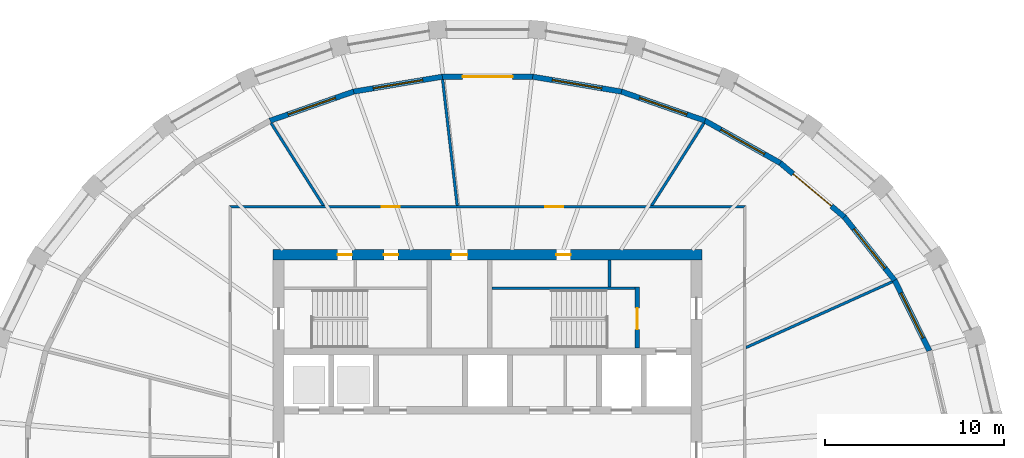
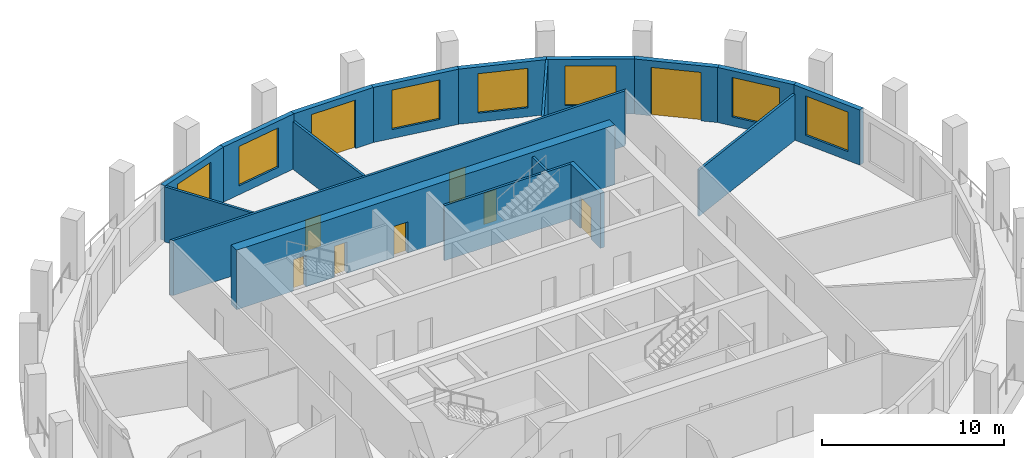
# One storey, part 6 of 10: 18 walls, 9 doors, 7 windows, 16 openings.
"""IFC4 building model written with IfcOpenShell, lengths in metres."""

from ifc_helpers import new_model, si_unit, direction, frame, frame_2d, origin, place, context, subcontext, project, spatial, polyline, rectangle, outline, extrude, material, layer, layer_set, type_object, element, fill, save


model = new_model("IFC4")

# Units and contexts
model_context = context("Model", 3, precision=1e-05, world=origin(), true_north=direction((0.0, 1.0)))
body_context = subcontext(model_context, "Body", "Model", "MODEL_VIEW")
ifc_project = project(units=[si_unit("LENGTHUNIT", "METRE"), si_unit("AREAUNIT", "SQUARE_METRE"), si_unit("VOLUMEUNIT", "CUBIC_METRE"), si_unit("PLANEANGLEUNIT", "RADIAN"), si_unit("MASSUNIT", "GRAM", prefix="KILO")], contexts=[model_context])

# Site, building, storey
site_placement = place(None, origin())
site = spatial("IfcSite", under=ifc_project, at=site_placement, CompositionType="ELEMENT")
building_placement = place(site_placement, origin())
building = spatial("IfcBuilding", under=site, at=building_placement, Name="Halqa Exchange Tower", CompositionType="ELEMENT")
storey_placement = place(building_placement, frame((0.0, 0.0, 316.300048828125)))
storey = spatial("IfcBuildingStorey", under=building, at=storey_placement, Name="L74", CompositionType="ELEMENT", Elevation=316.300048828125)

# Wall, openings, doors
ifc_material_1 = material(Name="Fire-rated gypsum board")
ifc_layer_1 = layer(ifc_material_1, 0.14990234375)
ifc_layer_set_1 = layer_set([ifc_layer_1], Name="Fire-rated gypsum board")
wall_type_1 = type_object("IfcWallType", Name="Fire partition EI 60 150", PredefinedType="PARTITIONING", material=ifc_layer_set_1)
wall_1_placement = place(storey_placement, frame((-14.47509765625, 14.39990234375, 0.0), z_axis=(0.0, 0.0, 1.0), x_axis=(1.0, 0.0, 0.0)))
wall_1 = element("IfcWall", 1, at=wall_1_placement, inside=storey, type_object=wall_type_1, Name="L74-PWL-008", PredefinedType="PARTITIONING", context=body_context, shape_type="SweptSolid", body=[
    extrude(outline(polyline([(0.150146484375, -0.074951171875), (2.06005859375, -0.074951171875), (3.97021484375, -0.074951171875), (5.880126953125, -0.074951171875), (7.7900390625, -0.074951171875), (9.7001953125, -0.074951171875), (11.610107421875, -0.074951171875), (13.52001953125, -0.074951171875), (15.43017578125, -0.074951171875), (17.340087890625, -0.074951171875), (19.25, -0.074951171875), (21.16015625, -0.074951171875), (23.070068359375, -0.074951171875), (24.97998046875, -0.074951171875), (26.89013671875, -0.074951171875), (28.800048828125, -0.074951171875), (28.949951171875, 0.074951171875), (27.02001953125, 0.074951171875), (25.090087890625, 0.074951171875), (23.159912109375, 0.074951171875), (21.22998046875, 0.074951171875), (19.300048828125, 0.074951171875), (17.3701171875, 0.074951171875), (15.440185546875, 0.074951171875), (13.510009765625, 0.074951171875), (11.580078125, 0.074951171875), (9.650146484375, 0.074951171875), (7.72021484375, 0.074951171875), (5.790283203125, 0.074951171875), (3.860107421875, 0.074951171875), (1.93017578125, 0.074951171875), (0.000244140625, 0.074951171875), (0.150146484375, -0.074951171875)])), origin(), (0.0, 0.0, 1.0), 3.699951171875),
])
opening_1_placement = place(wall_1_placement, frame((17.705078125, 0.0, 0.0)))
opening_1 = element("IfcOpeningElement", 2, at=opening_1_placement, cuts=wall_1, Name="Opening 23-02", PredefinedType="OPENING", context=body_context, shape_type="SweptSolid", body=[
    extrude(rectangle(XDim=1.0, YDim=2.10009765625, at=frame_2d((0.5, 1.050048828125))), frame((0.0, 0.0869140625, 0.0), z_axis=(0.0, -1.0, 0.0), x_axis=(1.0, 0.0, 0.0)), (0.0, 0.0, 1.0), 0.173828125),
])
opening_2_placement = place(wall_1_placement, frame((8.554931640625, 0.0, 0.0)))
opening_2 = element("IfcOpeningElement", 3, at=opening_2_placement, cuts=wall_1, Name="Opening 23-03", PredefinedType="OPENING", context=body_context, shape_type="SweptSolid", body=[
    extrude(rectangle(XDim=1.0, YDim=2.10009765625, at=frame_2d((0.5, 1.050048828125))), frame((0.0, 0.0869140625, 0.0), z_axis=(0.0, -1.0, 0.0), x_axis=(1.0, 0.0, 0.0)), (0.0, 0.0, 1.0), 0.173828125),
])
ifc_material_2 = material(Name="Steel fire door leaf", Category="steel")
door_type_1 = type_object("IfcDoorType", Name="Fire door FD30S 1000 x 2100", OperationType="SINGLE_SWING_LEFT", PredefinedType="DOOR", material=ifc_material_2)
door_1_placement = place(opening_1_placement, origin())
door_1 = element("IfcDoor", 4, at=door_1_placement, inside=storey, type_object=door_type_1, Name="L74-IDR-002", OperationType="SINGLE_SWING_RIGHT", OverallHeight=2.10009765625, OverallWidth=1.0, PredefinedType="DOOR", context=body_context, shape_type="SweptSolid", body=[
    extrude(rectangle(XDim=1.0, YDim=2.10009765625, at=frame_2d((0.5, 1.050048828125))), frame((0.0, 0.02490234375, 0.0), z_axis=(0.0, -1.0, 0.0), x_axis=(1.0, 0.0, 0.0)), (0.0, 0.0, 1.0), 0.050048828125),
])
fill(opening_1, door_1)
door_2_placement = place(opening_2_placement, origin())
door_2 = element("IfcDoor", 5, at=door_2_placement, inside=storey, type_object=door_type_1, Name="L74-IDR-003", OperationType="SINGLE_SWING_RIGHT", OverallHeight=2.10009765625, OverallWidth=1.0, PredefinedType="DOOR", context=body_context, shape_type="SweptSolid", body=[
    extrude(rectangle(XDim=1.0, YDim=2.10009765625, at=frame_2d((0.5, 1.050048828125))), frame((0.0, 0.02490234375, 0.0), z_axis=(0.0, -1.0, 0.0), x_axis=(1.0, 0.0, 0.0)), (0.0, 0.0, 1.0), 0.050048828125),
])
fill(opening_2, door_2)

# Walls
wall_2_placement = place(storey_placement, frame((-9.172119140625, 14.43505859375, 0.0), z_axis=(0.0, 0.0, 1.0), x_axis=(-0.536016173419, 0.844207712493, 0.0)))
element("IfcWall", 6, at=wall_2_placement, inside=storey, type_object=wall_type_1, Name="L74-PWL-010", PredefinedType="PARTITIONING", context=body_context, shape_type="SweptSolid", body=[
    extrude(outline(polyline([(0.0, -0.074951171875), (1.82568359375, -0.074951171875), (3.6513671875, -0.074951171875), (5.477294921875, -0.074951171875), (5.494140625, -0.002685546875), (5.498291015625, 0.074951171875), (3.697265625, 0.074951171875), (1.89599609375, 0.074951171875), (0.094970703125, 0.074951171875), (0.0, -0.074462890625), (0.0, -0.074951171875)])), origin(), (0.0, 0.0, 1.0), 3.699951171875),
])
wall_3_placement = place(storey_placement, frame((-1.69775390625, 14.466552734375, 0.0), z_axis=(0.0, 0.0, 1.0), x_axis=(-0.115131681879, 0.993350238248, 0.0)))
element("IfcWall", 7, at=wall_3_placement, inside=storey, type_object=wall_type_1, Name="L74-PWL-011", PredefinedType="PARTITIONING", context=body_context, shape_type="SweptSolid", body=[
    extrude(outline(polyline([(0.0, -0.074951171875), (1.774169921875, -0.074951171875), (3.54833984375, -0.074951171875), (5.322265625, -0.074951171875), (7.096435546875, -0.074951171875), (7.1015625, -0.03125), (7.1015625, 0.074951171875), (5.33056640625, 0.074951171875), (3.559326171875, 0.074951171875), (1.788330078125, 0.074951171875), (0.01708984375, 0.074951171875), (0.0, -0.073486328125), (0.0, -0.074951171875)])), origin(), (0.0, 0.0, 1.0), 3.199951171875),
])
wall_4_placement = place(storey_placement, frame((9.172119140625, 14.43505859375, 0.0), z_axis=(0.0, 0.0, 1.0), x_axis=(0.536016173419, 0.844207712493, 0.0)))
element("IfcWall", 8, at=wall_4_placement, inside=storey, type_object=wall_type_1, Name="L74-PWL-013", PredefinedType="PARTITIONING", context=body_context, shape_type="SweptSolid", body=[
    extrude(outline(polyline([(0.094970703125, -0.074951171875), (1.89599609375, -0.074951171875), (3.697265625, -0.074951171875), (5.498291015625, -0.074951171875), (5.494140625, 0.002685546875), (5.477294921875, 0.074951171875), (3.6513671875, 0.074951171875), (1.82568359375, 0.074951171875), (0.0, 0.074951171875), (0.0, 0.074462890625), (0.094970703125, -0.074951171875)])), origin(), (0.0, 0.0, 1.0), 3.699951171875),
])
wall_5_placement = place(storey_placement, frame((22.667236328125, 10.197265625, 0.0), z_axis=(0.0, 0.0, 1.0), x_axis=(-0.912043070278, -0.410094425662, 0.0)))
element("IfcWall", 9, at=wall_5_placement, inside=storey, type_object=wall_type_1, Name="L74-PWL-018", PredefinedType="PARTITIONING", context=body_context, shape_type="SweptSolid", body=[
    extrude(outline(polyline([(0.021484375, -0.074951171875), (1.806884765625, -0.074951171875), (3.59228515625, -0.074951171875), (5.377685546875, -0.074951171875), (7.1630859375, -0.074951171875), (8.948486328125, -0.074951171875), (9.015625, 0.07421875), (9.015625, 0.074951171875), (7.21240234375, 0.074951171875), (5.409423828125, 0.074951171875), (3.606201171875, 0.074951171875), (1.80322265625, 0.074951171875), (0.0, 0.074951171875), (0.0, 0.066162109375), (0.002197265625, 0.000732421875), (0.021484375, -0.074951171875)])), origin(), (0.0, 0.0, 1.0), 3.099853515625),
])
ifc_material_3 = material(Name="Gypsum board")
ifc_layer_2 = layer(ifc_material_3, 0.14990234375)
ifc_layer_set_2 = layer_set([ifc_layer_2], Name="Gypsum board")
wall_type_2 = type_object("IfcWallType", Name="Penthouse riser wall 150 gypsum", PredefinedType="PARTITIONING", material=ifc_layer_set_2)
wall_6_placement = place(storey_placement, frame((6.824951171875, 9.89990234375, 0.0), z_axis=(0.0, 0.0, 1.0), x_axis=(0.0, 1.0, 0.0)))
element("IfcWall", 10, at=wall_6_placement, inside=storey, type_object=wall_type_2, Name="Firefighting lobby west wall N", PredefinedType="PARTITIONING", context=body_context, shape_type="SweptSolid", body=[
    extrude(rectangle(XDim=1.5, YDim=0.14990234375, at=frame_2d((0.75, 0.0))), origin(), (0.0, 0.0, 1.0), 3.699951171875),
])

# Wall, openings, doors
ifc_material_4 = material(Name="Concrete C60/75", Category="concrete")
ifc_layer_3 = layer(ifc_material_4, 0.60009765625)
ifc_layer_set_3 = layer_set([ifc_layer_3], Name="Concrete C60/75")
wall_type_3 = type_object("IfcWallType", Name="RC core wall 600 C60/75", PredefinedType="SHEAR", material=ifc_layer_set_3)
wall_7_placement = place(storey_placement, frame((-12.0, 11.699951171875, 0.0), z_axis=(0.0, 0.0, 1.0), x_axis=(1.0, 0.0, 0.0)))
wall_7 = element("IfcWall", 11, at=wall_7_placement, inside=storey, type_object=wall_type_3, Name="Core wall north", PredefinedType="SHEAR", context=body_context, shape_type="SweptSolid", body=[
    extrude(rectangle(XDim=24.0, YDim=0.60009765625, at=frame_2d((12.0, 0.0))), origin(), (0.0, 0.0, 1.0), 4.0),
])
opening_3_placement = place(wall_7_placement, frame((9.97509765625, 0.0, 0.0)))
opening_3 = element("IfcOpeningElement", 12, at=opening_3_placement, cuts=wall_7, Name="Opening T23-C17", PredefinedType="OPENING", context=body_context, shape_type="SweptSolid", body=[
    extrude(rectangle(XDim=0.89990234375, YDim=2.10009765625, at=frame_2d((0.449951171875, 1.050048828125))), frame((0.0, 0.31201171875, 0.0), z_axis=(0.0, -1.0, 0.0), x_axis=(1.0, 0.0, 0.0)), (0.0, 0.0, 1.0), 0.6240234375),
])
opening_4_placement = place(wall_7_placement, frame((3.60009765625, 0.0, 0.0)))
opening_4 = element("IfcOpeningElement", 13, at=opening_4_placement, cuts=wall_7, Name="Opening T23-C18", PredefinedType="OPENING", context=body_context, shape_type="SweptSolid", body=[
    extrude(rectangle(XDim=0.800048828125, YDim=2.10009765625, at=frame_2d((0.39990234375, 1.050048828125))), frame((0.0, 0.31201171875, 0.0), z_axis=(0.0, -1.0, 0.0), x_axis=(1.0, 0.0, 0.0)), (0.0, 0.0, 1.0), 0.6240234375),
])
opening_5_placement = place(wall_7_placement, frame((6.199951171875, 0.0, 0.0)))
opening_5 = element("IfcOpeningElement", 14, at=opening_5_placement, cuts=wall_7, Name="Opening T23-C19", PredefinedType="OPENING", context=body_context, shape_type="SweptSolid", body=[
    extrude(rectangle(XDim=0.800048828125, YDim=2.10009765625, at=frame_2d((0.39990234375, 1.050048828125))), frame((0.0, 0.31201171875, 0.0), z_axis=(0.0, -1.0, 0.0), x_axis=(1.0, 0.0, 0.0)), (0.0, 0.0, 1.0), 0.6240234375),
])
opening_6_placement = place(wall_7_placement, frame((15.85009765625, 0.0, 0.0)))
opening_6 = element("IfcOpeningElement", 15, at=opening_6_placement, cuts=wall_7, Name="Opening T23-C20", PredefinedType="OPENING", context=body_context, shape_type="SweptSolid", body=[
    extrude(rectangle(XDim=0.800048828125, YDim=2.10009765625, at=frame_2d((0.39990234375, 1.050048828125))), frame((0.0, 0.31201171875, 0.0), z_axis=(0.0, -1.0, 0.0), x_axis=(1.0, 0.0, 0.0)), (0.0, 0.0, 1.0), 0.6240234375),
])
ifc_material_5 = material(Name="Timber fire door leaf", Category="wood")
door_type_2 = type_object("IfcDoorType", Name="Core room door FD30 900 x 2100", OperationType="SINGLE_SWING_LEFT", PredefinedType="DOOR", material=ifc_material_5)
door_3_placement = place(opening_3_placement, frame((0.89990234375, 0.0, 0.0), z_axis=(0.0, 0.0, 1.0), x_axis=(-1.0, 0.0, 0.0)))
door_3 = element("IfcDoor", 16, at=door_3_placement, inside=storey, type_object=door_type_2, Name="Core room door", OperationType="SINGLE_SWING_RIGHT", OverallHeight=2.10009765625, OverallWidth=0.89990234375, PredefinedType="DOOR", context=body_context, shape_type="SweptSolid", body=[
    extrude(rectangle(XDim=0.89990234375, YDim=2.10009765625, at=frame_2d((0.449951171875, 1.050048828125))), frame((0.0, 0.02490234375, 0.0), z_axis=(0.0, -1.0, 0.0), x_axis=(1.0, 0.0, 0.0)), (0.0, 0.0, 1.0), 0.050048828125),
])
fill(opening_3, door_3)
door_type_3 = type_object("IfcDoorType", Name="Riser door FD60 800 x 2100", OperationType="SINGLE_SWING_LEFT", PredefinedType="DOOR", material=ifc_material_2)
door_4_placement = place(opening_4_placement, frame((0.800048828125, 0.0, 0.0), z_axis=(0.0, 0.0, 1.0), x_axis=(-1.0, 0.0, 0.0)))
door_4 = element("IfcDoor", 17, at=door_4_placement, inside=storey, type_object=door_type_3, Name="Core room door", OperationType="SINGLE_SWING_RIGHT", OverallHeight=2.10009765625, OverallWidth=0.800048828125, PredefinedType="DOOR", context=body_context, shape_type="SweptSolid", body=[
    extrude(rectangle(XDim=0.800048828125, YDim=2.10009765625, at=frame_2d((0.39990234375, 1.050048828125))), frame((0.0, 0.02490234375, 0.0), z_axis=(0.0, -1.0, 0.0), x_axis=(1.0, 0.0, 0.0)), (0.0, 0.0, 1.0), 0.050048828125),
])
fill(opening_4, door_4)
door_5_placement = place(opening_5_placement, frame((0.800048828125, 0.0, 0.0), z_axis=(0.0, 0.0, 1.0), x_axis=(-1.0, 0.0, 0.0)))
door_5 = element("IfcDoor", 18, at=door_5_placement, inside=storey, type_object=door_type_3, Name="Core room door", OperationType="SINGLE_SWING_LEFT", OverallHeight=2.10009765625, OverallWidth=0.800048828125, PredefinedType="DOOR", context=body_context, shape_type="SweptSolid", body=[
    extrude(rectangle(XDim=0.800048828125, YDim=2.10009765625, at=frame_2d((0.39990234375, 1.050048828125))), frame((0.0, 0.02490234375, 0.0), z_axis=(0.0, -1.0, 0.0), x_axis=(1.0, 0.0, 0.0)), (0.0, 0.0, 1.0), 0.050048828125),
])
fill(opening_5, door_5)
door_6_placement = place(opening_6_placement, frame((0.800048828125, 0.0, 0.0), z_axis=(0.0, 0.0, 1.0), x_axis=(-1.0, 0.0, 0.0)))
door_6 = element("IfcDoor", 19, at=door_6_placement, inside=storey, type_object=door_type_3, Name="Core room door", OperationType="SINGLE_SWING_RIGHT", OverallHeight=2.10009765625, OverallWidth=0.800048828125, PredefinedType="DOOR", context=body_context, shape_type="SweptSolid", body=[
    extrude(rectangle(XDim=0.800048828125, YDim=2.10009765625, at=frame_2d((0.39990234375, 1.050048828125))), frame((0.0, 0.02490234375, 0.0), z_axis=(0.0, -1.0, 0.0), x_axis=(1.0, 0.0, 0.0)), (0.0, 0.0, 1.0), 0.050048828125),
])
fill(opening_6, door_6)

# Wall
ifc_material_6 = material(Name="Concrete C30/37", Category="concrete")
ifc_layer_4 = layer(ifc_material_6, 0.14990234375)
ifc_layer_set_4 = layer_set([ifc_layer_4], Name="Concrete C30/37")
wall_type_4 = type_object("IfcWallType", Name="RC stair wall 150 C30/37", PredefinedType="SHEAR", material=ifc_layer_set_4)
wall_8_placement = place(storey_placement, frame((0.25, 9.824951171875, 0.0), z_axis=(0.0, 0.0, 1.0), x_axis=(1.0, 0.0, 0.0)))
element("IfcWall", 20, at=wall_8_placement, inside=storey, type_object=wall_type_4, Name="Stair ST2 north wall N", PredefinedType="SHEAR", context=body_context, shape_type="SweptSolid", body=[
    extrude(rectangle(XDim=8.0, YDim=0.14990234375, at=frame_2d((4.0, 0.0))), origin(), (0.0, 0.0, 1.0), 3.699951171875),
])

# Wall, opening, door
ifc_layer_5 = layer(ifc_material_6, 0.25)
ifc_layer_set_5 = layer_set([ifc_layer_5], Name="Concrete C30/37")
wall_type_5 = type_object("IfcWallType", Name="RC stair wall 250 C30/37", PredefinedType="SHEAR", material=ifc_layer_set_5)
wall_9_placement = place(storey_placement, frame((8.375, 6.5, 0.0), z_axis=(0.0, 0.0, 1.0), x_axis=(0.0, 1.0, 0.0)))
wall_9 = element("IfcWall", 21, at=wall_9_placement, inside=storey, type_object=wall_type_5, Name="Stair ST2 east wall N", PredefinedType="SHEAR", context=body_context, shape_type="SweptSolid", body=[
    extrude(rectangle(XDim=3.39990234375, YDim=0.25, at=frame_2d((1.699951171875, 0.0))), origin(), (0.0, 0.0, 1.0), 3.699951171875),
])
opening_7_placement = place(wall_9_placement, frame((1.02490234375, 0.0, 0.0)))
opening_7 = element("IfcOpeningElement", 22, at=opening_7_placement, cuts=wall_9, Name="Opening T23-C12", PredefinedType="OPENING", context=body_context, shape_type="SweptSolid", body=[
    extrude(rectangle(XDim=1.199951171875, YDim=2.10009765625, at=frame_2d((0.60009765625, 1.050048828125))), frame((0.0, 0.136962890625, 0.0), z_axis=(0.0, -1.0, 0.0), x_axis=(1.0, 0.0, 0.0)), (0.0, 0.0, 1.0), 0.27392578125),
])
door_type_4 = type_object("IfcDoorType", Name="Stair door FD90 1200 x 2100", OperationType="SINGLE_SWING_LEFT", PredefinedType="DOOR", material=ifc_material_2)
door_7_placement = place(opening_7_placement, origin())
door_7 = element("IfcDoor", 23, at=door_7_placement, inside=storey, type_object=door_type_4, Name="Stair door ST2", OperationType="SINGLE_SWING_RIGHT", OverallHeight=2.10009765625, OverallWidth=1.199951171875, PredefinedType="DOOR", context=body_context, shape_type="SweptSolid", body=[
    extrude(rectangle(XDim=1.199951171875, YDim=2.10009765625, at=frame_2d((0.60009765625, 1.050048828125))), frame((0.0, 0.02490234375, 0.0), z_axis=(0.0, -1.0, 0.0), x_axis=(1.0, 0.0, 0.0)), (0.0, 0.0, 1.0), 0.050048828125),
])
fill(opening_7, door_7)

# Wall, opening, window
ifc_material_7 = material(Name="Limestone cladding", Category="masonry")
ifc_layer_6 = layer(ifc_material_7, 0.0400390625)
ifc_material_8 = material(Name="Ventilated cavity")
ifc_layer_7 = layer(ifc_material_8, 0.030029296875, ventilated=True)
ifc_material_9 = material(Name="Mineral wool insulation")
ifc_layer_8 = layer(ifc_material_9, 0.10009765625)
ifc_layer_9 = layer(ifc_material_6, 0.10009765625)
ifc_material_10 = material(Name="Internal plaster")
ifc_layer_10 = layer(ifc_material_10, 0.030029296875)
ifc_layer_set_6 = layer_set([ifc_layer_6, ifc_layer_7, ifc_layer_8, ifc_layer_9, ifc_layer_10], Name="Stone-faced insulated wall 300")
wall_type_6 = type_object("IfcWallType", Name="Stone-faced insulated wall 300", PredefinedType="STANDARD", material=ifc_layer_set_6)
wall_10_placement = place(storey_placement, frame((24.735595703125, 6.32958984375, 0.0), z_axis=(0.0, 0.0, 1.0), x_axis=(-0.441610485853, 0.897206876247, 0.0)))
wall_10 = element("IfcWall", 24, at=wall_10_placement, inside=storey, type_object=wall_type_6, Name="Glass-line wall 2", PredefinedType="STANDARD", context=body_context, shape_type="SweptSolid", body=[
    extrude(outline(polyline([(-0.01708984375, -0.14990234375), (4.4150390625, -0.14990234375), (4.3828125, 0.14990234375), (0.01708984375, 0.14990234375), (-0.01708984375, -0.14990234375)])), origin(), (0.0, 0.0, 1.0), 3.699951171875),
])
opening_8_placement = place(wall_10_placement, frame((0.799560546875, 0.0, 0.60009765625)))
opening_8 = element("IfcOpeningElement", 25, at=opening_8_placement, cuts=wall_10, Name="Opening W-F4-02", PredefinedType="OPENING", context=body_context, shape_type="SweptSolid", body=[
    extrude(rectangle(XDim=2.800048828125, YDim=2.64990234375, at=frame_2d((1.39990234375, 1.324951171875))), frame((0.0, 0.162109375, 0.0), z_axis=(0.0, -1.0, 0.0), x_axis=(1.0, 0.0, 0.0)), (0.0, 0.0, 1.0), 0.323974609375),
])
ifc_material_11 = material(Name="Clear low-emissivity glass in aluminium frame", Category="aluminium")
window_type = type_object("IfcWindowType", Name="Fixed clear glazed window 2800 x 2650", PartitioningType="DOUBLE_PANEL_VERTICAL", PredefinedType="WINDOW", material=ifc_material_11)
window_1_placement = place(opening_8_placement, origin())
window_1 = element("IfcWindow", 26, at=window_1_placement, inside=storey, type_object=window_type, Name="Window 4", OverallHeight=2.64990234375, OverallWidth=2.800048828125, PartitioningType="DOUBLE_PANEL_VERTICAL", PredefinedType="WINDOW", context=body_context, shape_type="SweptSolid", body=[
    extrude(rectangle(XDim=2.800048828125, YDim=2.64990234375, at=frame_2d((1.39990234375, 1.324951171875))), frame((0.0, 0.030029296875, 0.0), z_axis=(0.0, -1.0, 0.0), x_axis=(1.0, 0.0, 0.0)), (0.0, 0.0, 1.0), 0.06005859375),
])
fill(opening_8, window_1)

wall_11_placement = place(storey_placement, frame((22.79296875, 10.2763671875, 0.0), z_axis=(0.0, 0.0, 1.0), x_axis=(-0.621800530555, 0.783175650925, 0.0)))
wall_11 = element("IfcWall", 27, at=wall_11_placement, inside=storey, type_object=wall_type_6, Name="Glass-line wall 3", PredefinedType="STANDARD", context=body_context, shape_type="SweptSolid", body=[
    extrude(outline(polyline([(-0.01611328125, -0.14990234375), (4.547607421875, -0.14990234375), (4.517333984375, 0.14990234375), (0.01611328125, 0.14990234375), (-0.01611328125, -0.14990234375)])), origin(), (0.0, 0.0, 1.0), 3.699951171875),
])
opening_9_placement = place(wall_11_placement, frame((0.8662109375, 0.0, 0.60009765625)))
opening_9 = element("IfcOpeningElement", 28, at=opening_9_placement, cuts=wall_11, Name="Opening W-F4-03", PredefinedType="OPENING", context=body_context, shape_type="SweptSolid", body=[
    extrude(rectangle(XDim=2.800048828125, YDim=2.64990234375, at=frame_2d((1.39990234375, 1.324951171875))), frame((0.0, 0.162109375, 0.0), z_axis=(0.0, -1.0, 0.0), x_axis=(1.0, 0.0, 0.0)), (0.0, 0.0, 1.0), 0.323974609375),
])
window_2_placement = place(opening_9_placement, origin())
window_2 = element("IfcWindow", 29, at=window_2_placement, inside=storey, type_object=window_type, Name="Window 4", OverallHeight=2.64990234375, OverallWidth=2.800048828125, PartitioningType="DOUBLE_PANEL_VERTICAL", PredefinedType="WINDOW", context=body_context, shape_type="SweptSolid", body=[
    extrude(rectangle(XDim=2.800048828125, YDim=2.64990234375, at=frame_2d((1.39990234375, 1.324951171875))), frame((0.0, 0.030029296875, 0.0), z_axis=(0.0, -1.0, 0.0), x_axis=(1.0, 0.0, 0.0)), (0.0, 0.0, 1.0), 0.06005859375),
])
fill(opening_9, window_2)

# Wall, opening, door
wall_12_placement = place(storey_placement, frame((19.974609375, 13.826171875, 0.0), z_axis=(0.0, 0.0, 1.0), x_axis=(-0.765128700347, 0.643877373344, 0.0)))
wall_12 = element("IfcWall", 30, at=wall_12_placement, inside=storey, type_object=wall_type_6, Name="Glass-line wall 4", PredefinedType="STANDARD", context=body_context, shape_type="SweptSolid", body=[
    extrude(outline(polyline([(-0.01513671875, -0.14990234375), (4.69970703125, -0.14990234375), (4.67138671875, 0.14990234375), (0.01513671875, 0.14990234375), (-0.01513671875, -0.14990234375)])), origin(), (0.0, 0.0, 1.0), 3.699951171875),
])
opening_10_placement = place(wall_12_placement, frame((0.942626953125, 0.0, 0.0)))
opening_10 = element("IfcOpeningElement", 31, at=opening_10_placement, cuts=wall_12, Name="Opening LG-F4-01", PredefinedType="OPENING", context=body_context, shape_type="SweptSolid", body=[
    extrude(rectangle(XDim=2.800048828125, YDim=3.25, at=frame_2d((1.39990234375, 1.625))), frame((0.0, 0.162109375, 0.0), z_axis=(0.0, -1.0, 0.0), x_axis=(1.0, 0.0, 0.0)), (0.0, 0.0, 1.0), 0.323974609375),
])
door_type_5 = type_object("IfcDoorType", Name="Glazed sliding loggia door 2800 x 3250", OperationType="DOUBLE_DOOR_SLIDING", PredefinedType="DOOR", material=ifc_material_11)
door_8_placement = place(opening_10_placement, origin())
door_8 = element("IfcDoor", 32, at=door_8_placement, inside=storey, type_object=door_type_5, Name="Loggia door 1", OperationType="DOUBLE_DOOR_SLIDING", OverallHeight=3.25, OverallWidth=2.800048828125, PredefinedType="DOOR", context=body_context, shape_type="SweptSolid", body=[
    extrude(rectangle(XDim=2.800048828125, YDim=3.25, at=frame_2d((1.39990234375, 1.625))), frame((0.0, 0.02490234375, 0.0), z_axis=(0.0, -1.0, 0.0), x_axis=(1.0, 0.0, 0.0)), (0.0, 0.0, 1.0), 0.050048828125),
])
fill(opening_10, door_8)

# Wall, opening, window
wall_13_placement = place(storey_placement, frame((16.3896484375, 16.843017578125, 0.0), z_axis=(0.0, 0.0, 1.0), x_axis=(-0.871651071333, 0.49012693238, 0.0)))
wall_13 = element("IfcWall", 33, at=wall_13_placement, inside=storey, type_object=wall_type_6, Name="Glass-line wall 5", PredefinedType="STANDARD", context=body_context, shape_type="SweptSolid", body=[
    extrude(outline(polyline([(-0.01416015625, -0.14990234375), (4.846435546875, -0.14990234375), (4.820068359375, 0.14990234375), (0.01416015625, 0.14990234375), (-0.01416015625, -0.14990234375)])), origin(), (0.0, 0.0, 1.0), 3.699951171875),
])
opening_11_placement = place(wall_13_placement, frame((1.0166015625, 0.0, 0.60009765625)))
opening_11 = element("IfcOpeningElement", 34, at=opening_11_placement, cuts=wall_13, Name="Opening W-F4-05", PredefinedType="OPENING", context=body_context, shape_type="SweptSolid", body=[
    extrude(rectangle(XDim=2.800048828125, YDim=2.64990234375, at=frame_2d((1.39990234375, 1.324951171875))), frame((0.0, 0.162109375, 0.0), z_axis=(0.0, -1.0, 0.0), x_axis=(1.0, 0.0, 0.0)), (0.0, 0.0, 1.0), 0.323974609375),
])
window_3_placement = place(opening_11_placement, origin())
window_3 = element("IfcWindow", 35, at=window_3_placement, inside=storey, type_object=window_type, Name="Window 4", OverallHeight=2.64990234375, OverallWidth=2.800048828125, PartitioningType="DOUBLE_PANEL_VERTICAL", PredefinedType="WINDOW", context=body_context, shape_type="SweptSolid", body=[
    extrude(rectangle(XDim=2.800048828125, YDim=2.64990234375, at=frame_2d((1.39990234375, 1.324951171875))), frame((0.0, 0.030029296875, 0.0), z_axis=(0.0, -1.0, 0.0), x_axis=(1.0, 0.0, 0.0)), (0.0, 0.0, 1.0), 0.06005859375),
])
fill(opening_11, window_3)

wall_14_placement = place(storey_placement, frame((12.1767578125, 19.2119140625, 0.0), z_axis=(0.0, 0.0, 1.0), x_axis=(-0.944273917508, 0.329160703479, 0.0)))
wall_14 = element("IfcWall", 36, at=wall_14_placement, inside=storey, type_object=wall_type_6, Name="Glass-line wall 6", PredefinedType="STANDARD", context=body_context, shape_type="SweptSolid", body=[
    extrude(outline(polyline([(-0.01318359375, -0.14990234375), (4.968017578125, -0.14990234375), (4.942626953125, 0.14990234375), (0.01318359375, 0.14990234375), (-0.01318359375, -0.14990234375)])), origin(), (0.0, 0.0, 1.0), 3.699951171875),
])
opening_12_placement = place(wall_14_placement, frame((1.07763671875, 0.0, 0.60009765625)))
opening_12 = element("IfcOpeningElement", 37, at=opening_12_placement, cuts=wall_14, Name="Opening W-F4-06", PredefinedType="OPENING", context=body_context, shape_type="SweptSolid", body=[
    extrude(rectangle(XDim=2.800048828125, YDim=2.64990234375, at=frame_2d((1.39990234375, 1.324951171875))), frame((0.0, 0.162109375, 0.0), z_axis=(0.0, -1.0, 0.0), x_axis=(1.0, 0.0, 0.0)), (0.0, 0.0, 1.0), 0.323974609375),
])
window_4_placement = place(opening_12_placement, origin())
window_4 = element("IfcWindow", 38, at=window_4_placement, inside=storey, type_object=window_type, Name="Window 4", OverallHeight=2.64990234375, OverallWidth=2.800048828125, PartitioningType="DOUBLE_PANEL_VERTICAL", PredefinedType="WINDOW", context=body_context, shape_type="SweptSolid", body=[
    extrude(rectangle(XDim=2.800048828125, YDim=2.64990234375, at=frame_2d((1.39990234375, 1.324951171875))), frame((0.0, 0.030029296875, 0.0), z_axis=(0.0, -1.0, 0.0), x_axis=(1.0, 0.0, 0.0)), (0.0, 0.0, 1.0), 0.06005859375),
])
fill(opening_12, window_4)

wall_15_placement = place(storey_placement, frame((7.49755859375, 20.843017578125, 0.0), z_axis=(0.0, 0.0, 1.0), x_axis=(-0.986269147983, 0.165145898335, 0.0)))
wall_15 = element("IfcWall", 39, at=wall_15_placement, inside=storey, type_object=wall_type_6, Name="Glass-line wall 7", PredefinedType="STANDARD", context=body_context, shape_type="SweptSolid", body=[
    extrude(outline(polyline([(-0.0126953125, -0.14990234375), (5.047607421875, -0.14990234375), (5.022705078125, 0.14990234375), (0.0126953125, 0.14990234375), (-0.0126953125, -0.14990234375)])), origin(), (0.0, 0.0, 1.0), 3.699951171875),
])
opening_13_placement = place(wall_15_placement, frame((1.11767578125, 0.0, 0.60009765625)))
opening_13 = element("IfcOpeningElement", 40, at=opening_13_placement, cuts=wall_15, Name="Opening W-F4-07", PredefinedType="OPENING", context=body_context, shape_type="SweptSolid", body=[
    extrude(rectangle(XDim=2.800048828125, YDim=2.64990234375, at=frame_2d((1.39990234375, 1.324951171875))), frame((0.0, 0.162109375, 0.0), z_axis=(0.0, -1.0, 0.0), x_axis=(1.0, 0.0, 0.0)), (0.0, 0.0, 1.0), 0.323974609375),
])
window_5_placement = place(opening_13_placement, origin())
window_5 = element("IfcWindow", 41, at=window_5_placement, inside=storey, type_object=window_type, Name="Window 4", OverallHeight=2.64990234375, OverallWidth=2.800048828125, PartitioningType="DOUBLE_PANEL_VERTICAL", PredefinedType="WINDOW", context=body_context, shape_type="SweptSolid", body=[
    extrude(rectangle(XDim=2.800048828125, YDim=2.64990234375, at=frame_2d((1.39990234375, 1.324951171875))), frame((0.0, 0.030029296875, 0.0), z_axis=(0.0, -1.0, 0.0), x_axis=(1.0, 0.0, 0.0)), (0.0, 0.0, 1.0), 0.06005859375),
])
fill(opening_13, window_5)

# Wall, opening, door
wall_16_placement = place(storey_placement, frame((2.531494140625, 21.674560546875, 0.0), z_axis=(0.0, 0.0, 1.0), x_axis=(-1.0, 0.0, 0.0)))
wall_16 = element("IfcWall", 42, at=wall_16_placement, inside=storey, type_object=wall_type_6, Name="Glass-line wall 8", PredefinedType="STANDARD", context=body_context, shape_type="SweptSolid", body=[
    extrude(outline(polyline([(-0.012451171875, -0.14990234375), (5.075439453125, -0.14990234375), (5.050537109375, 0.14990234375), (0.012451171875, 0.14990234375), (-0.012451171875, -0.14990234375)])), origin(), (0.0, 0.0, 1.0), 3.699951171875),
])
opening_14_placement = place(wall_16_placement, frame((1.131591796875, 0.0, 0.0)))
opening_14 = element("IfcOpeningElement", 43, at=opening_14_placement, cuts=wall_16, Name="Opening LG-F4-02", PredefinedType="OPENING", context=body_context, shape_type="SweptSolid", body=[
    extrude(rectangle(XDim=2.800048828125, YDim=3.25, at=frame_2d((1.39990234375, 1.625))), frame((0.0, 0.162109375, 0.0), z_axis=(0.0, -1.0, 0.0), x_axis=(1.0, 0.0, 0.0)), (0.0, 0.0, 1.0), 0.323974609375),
])
door_9_placement = place(opening_14_placement, origin())
door_9 = element("IfcDoor", 44, at=door_9_placement, inside=storey, type_object=door_type_5, Name="Loggia door 2", OperationType="DOUBLE_DOOR_SLIDING", OverallHeight=3.25, OverallWidth=2.800048828125, PredefinedType="DOOR", context=body_context, shape_type="SweptSolid", body=[
    extrude(rectangle(XDim=2.800048828125, YDim=3.25, at=frame_2d((1.39990234375, 1.625))), frame((0.0, 0.02490234375, 0.0), z_axis=(0.0, -1.0, 0.0), x_axis=(1.0, 0.0, 0.0)), (0.0, 0.0, 1.0), 0.050048828125),
])
fill(opening_14, door_9)

# Wall, opening, window
wall_17_placement = place(storey_placement, frame((-2.531494140625, 21.674560546875, 0.0), z_axis=(0.0, 0.0, 1.0), x_axis=(-0.986269147983, -0.165145898335, 0.0)))
wall_17 = element("IfcWall", 45, at=wall_17_placement, inside=storey, type_object=wall_type_6, Name="Glass-line wall 9", PredefinedType="STANDARD", context=body_context, shape_type="SweptSolid", body=[
    extrude(outline(polyline([(-0.012451171875, -0.14990234375), (5.0478515625, -0.14990234375), (5.0224609375, 0.14990234375), (0.012451171875, 0.14990234375), (-0.012451171875, -0.14990234375)])), origin(), (0.0, 0.0, 1.0), 3.699951171875),
])
opening_15_placement = place(wall_17_placement, frame((1.11767578125, 0.0, 0.60009765625)))
opening_15 = element("IfcOpeningElement", 46, at=opening_15_placement, cuts=wall_17, Name="Opening W-F4-09", PredefinedType="OPENING", context=body_context, shape_type="SweptSolid", body=[
    extrude(rectangle(XDim=2.800048828125, YDim=2.64990234375, at=frame_2d((1.39990234375, 1.324951171875))), frame((0.0, 0.162109375, 0.0), z_axis=(0.0, -1.0, 0.0), x_axis=(1.0, 0.0, 0.0)), (0.0, 0.0, 1.0), 0.323974609375),
])
window_6_placement = place(opening_15_placement, origin())
window_6 = element("IfcWindow", 47, at=window_6_placement, inside=storey, type_object=window_type, Name="Window 4", OverallHeight=2.64990234375, OverallWidth=2.800048828125, PartitioningType="DOUBLE_PANEL_VERTICAL", PredefinedType="WINDOW", context=body_context, shape_type="SweptSolid", body=[
    extrude(rectangle(XDim=2.800048828125, YDim=2.64990234375, at=frame_2d((1.39990234375, 1.324951171875))), frame((0.0, 0.030029296875, 0.0), z_axis=(0.0, -1.0, 0.0), x_axis=(1.0, 0.0, 0.0)), (0.0, 0.0, 1.0), 0.06005859375),
])
fill(opening_15, window_6)

wall_18_placement = place(storey_placement, frame((-7.49755859375, 20.843017578125, 0.0), z_axis=(0.0, 0.0, 1.0), x_axis=(-0.944273917508, -0.329160703479, 0.0)))
wall_18 = element("IfcWall", 48, at=wall_18_placement, inside=storey, type_object=wall_type_6, Name="Glass-line wall 10", PredefinedType="STANDARD", context=body_context, shape_type="SweptSolid", body=[
    extrude(outline(polyline([(-0.0126953125, -0.14990234375), (4.968505859375, -0.14990234375), (4.942138671875, 0.14990234375), (0.0126953125, 0.14990234375), (-0.0126953125, -0.14990234375)])), origin(), (0.0, 0.0, 1.0), 3.699951171875),
])
opening_16_placement = place(wall_18_placement, frame((1.07763671875, 0.0, 0.60009765625)))
opening_16 = element("IfcOpeningElement", 49, at=opening_16_placement, cuts=wall_18, Name="Opening W-F4-10", PredefinedType="OPENING", context=body_context, shape_type="SweptSolid", body=[
    extrude(rectangle(XDim=2.800048828125, YDim=2.64990234375, at=frame_2d((1.39990234375, 1.324951171875))), frame((0.0, 0.162109375, 0.0), z_axis=(0.0, -1.0, 0.0), x_axis=(1.0, 0.0, 0.0)), (0.0, 0.0, 1.0), 0.323974609375),
])
window_7_placement = place(opening_16_placement, origin())
window_7 = element("IfcWindow", 50, at=window_7_placement, inside=storey, type_object=window_type, Name="Window 4", OverallHeight=2.64990234375, OverallWidth=2.800048828125, PartitioningType="DOUBLE_PANEL_VERTICAL", PredefinedType="WINDOW", context=body_context, shape_type="SweptSolid", body=[
    extrude(rectangle(XDim=2.800048828125, YDim=2.64990234375, at=frame_2d((1.39990234375, 1.324951171875))), frame((0.0, 0.030029296875, 0.0), z_axis=(0.0, -1.0, 0.0), x_axis=(1.0, 0.0, 0.0)), (0.0, 0.0, 1.0), 0.06005859375),
])
fill(opening_16, window_7)

save(model, "model.ifc")
